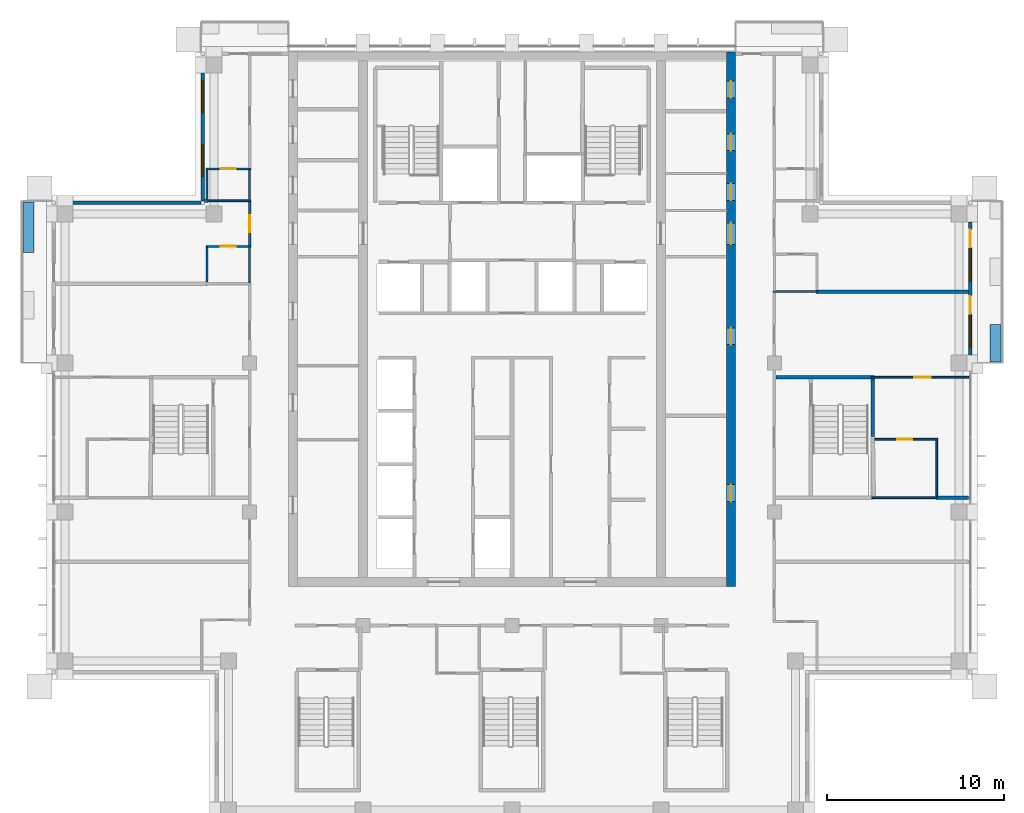
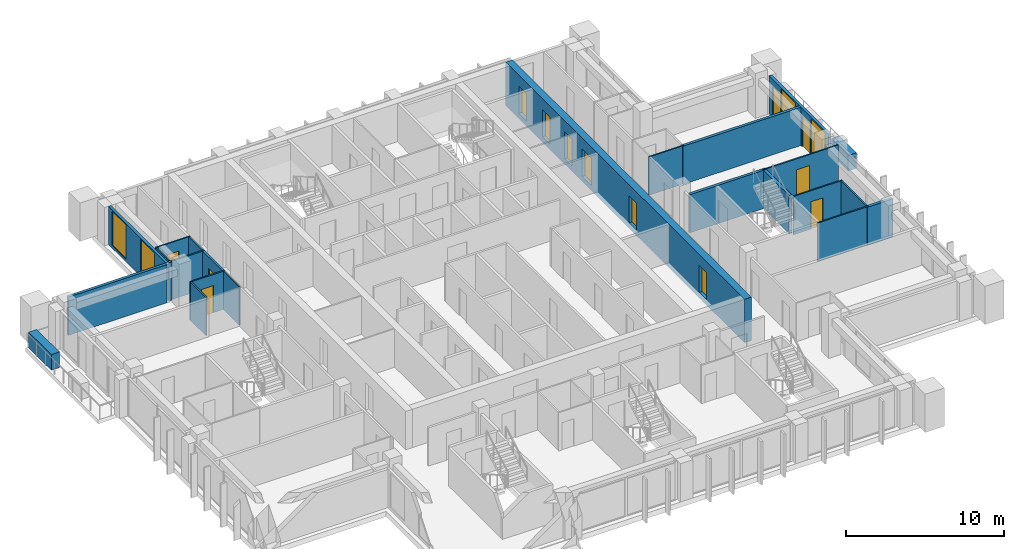
# One storey, part 11 of 18: 24 walls, 13 doors, 4 windows, 17 openings.
"""IFC4 building model written with IfcOpenShell, lengths in metres."""

from ifc_helpers import new_model, si_unit, direction, frame, frame_2d, origin, place, context, subcontext, project, spatial, rectangle, extrude, material, layer, layer_set, type_object, element, fill, save


model = new_model("IFC4")

# Units and contexts
model_context = context("Model", 3, precision=1e-05, world=origin(), true_north=direction((0.0, 1.0)))
body_context = subcontext(model_context, "Body", "Model", "MODEL_VIEW")
ifc_project = project(units=[si_unit("LENGTHUNIT", "METRE"), si_unit("AREAUNIT", "SQUARE_METRE"), si_unit("VOLUMEUNIT", "CUBIC_METRE"), si_unit("PLANEANGLEUNIT", "RADIAN"), si_unit("MASSUNIT", "GRAM", prefix="KILO")], contexts=[model_context])

# Site, building, storey
site_placement = place(None, origin())
site = spatial("IfcSite", under=ifc_project, at=site_placement, CompositionType="ELEMENT")
building_placement = place(site_placement, origin())
building = spatial("IfcBuilding", under=site, at=building_placement, Name="Vermilion Ogive Tower", CompositionType="ELEMENT")
storey_placement = place(building_placement, frame((0.0, 0.0, 261.39990234375)))
storey = spatial("IfcBuildingStorey", under=building, at=storey_placement, Name="L69", CompositionType="ELEMENT", Elevation=261.39990234375)

# Wall, openings, doors
ifc_material_1 = material(Name="Concrete B60", Category="concrete")
ifc_layer_1 = layer(ifc_material_1, 0.5)
ifc_layer_set_1 = layer_set([ifc_layer_1], Name="Core wall 500 B60")
wall_type_1 = type_object("IfcWallType", Name="Core wall 500 B60", PredefinedType="SHEAR", material=ifc_layer_set_1)
wall_1_placement = place(storey_placement, frame((12.35009765625, -8.39990234375, -0.39990234375), z_axis=(0.0, 0.0, 1.0), x_axis=(0.0, 1.0, 0.0)))
wall_1 = element("IfcWall", 1, at=wall_1_placement, inside=storey, type_object=wall_type_1, Name="L69-CORE-E", PredefinedType="SHEAR", context=body_context, shape_type="SweptSolid", body=[
    extrude(rectangle(XDim=30.14990234375, YDim=0.5, at=frame_2d((15.074951171875, 0.0))), origin(), (0.0, 0.0, 1.0), 3.35009765625),
])
opening_1_placement = place(wall_1_placement, frame((4.78759765625, 0.0, 0.39990234375)))
opening_1 = element("IfcOpeningElement", 2, at=opening_1_placement, cuts=wall_1, Name="Opening DAC128", PredefinedType="OPENING", context=body_context, shape_type="SweptSolid", body=[
    extrude(rectangle(XDim=0.949951171875, YDim=2.10009765625, at=frame_2d((0.47509765625, 1.050048828125))), frame((0.0, 0.260009765625, 0.0), z_axis=(0.0, -1.0, 0.0), x_axis=(1.0, 0.0, 0.0)), (0.0, 0.0, 1.0), 0.52001953125),
])
opening_2_placement = place(wall_1_placement, frame((13.6376953125, 0.0, 0.39990234375)))
opening_2 = element("IfcOpeningElement", 3, at=opening_2_placement, cuts=wall_1, Name="Opening DAC129", PredefinedType="OPENING", context=body_context, shape_type="SweptSolid", body=[
    extrude(rectangle(XDim=0.949951171875, YDim=2.10009765625, at=frame_2d((0.47509765625, 1.050048828125))), frame((0.0, 0.260009765625, 0.0), z_axis=(0.0, -1.0, 0.0), x_axis=(1.0, 0.0, 0.0)), (0.0, 0.0, 1.0), 0.52001953125),
])
opening_3_placement = place(wall_1_placement, frame((21.7705078125, 0.0, 0.39990234375)))
opening_3 = element("IfcOpeningElement", 4, at=opening_3_placement, cuts=wall_1, Name="Opening DAC130", PredefinedType="OPENING", context=body_context, shape_type="SweptSolid", body=[
    extrude(rectangle(XDim=0.949951171875, YDim=2.10009765625, at=frame_2d((0.47509765625, 1.050048828125))), frame((0.0, 0.260009765625, 0.0), z_axis=(0.0, -1.0, 0.0), x_axis=(1.0, 0.0, 0.0)), (0.0, 0.0, 1.0), 0.52001953125),
])
opening_4_placement = place(wall_1_placement, frame((24.57568359375, 0.0, 0.39990234375)))
opening_4 = element("IfcOpeningElement", 5, at=opening_4_placement, cuts=wall_1, Name="Opening DAC131", PredefinedType="OPENING", context=body_context, shape_type="SweptSolid", body=[
    extrude(rectangle(XDim=0.949951171875, YDim=2.10009765625, at=frame_2d((0.47509765625, 1.050048828125))), frame((0.0, 0.260009765625, 0.0), z_axis=(0.0, -1.0, 0.0), x_axis=(1.0, 0.0, 0.0)), (0.0, 0.0, 1.0), 0.52001953125),
])
opening_5_placement = place(wall_1_placement, frame((27.555419921875, 0.0, 0.39990234375)))
opening_5 = element("IfcOpeningElement", 6, at=opening_5_placement, cuts=wall_1, Name="Opening DAC132", PredefinedType="OPENING", context=body_context, shape_type="SweptSolid", body=[
    extrude(rectangle(XDim=0.949951171875, YDim=2.10009765625, at=frame_2d((0.47509765625, 1.050048828125))), frame((0.0, 0.260009765625, 0.0), z_axis=(0.0, -1.0, 0.0), x_axis=(1.0, 0.0, 0.0)), (0.0, 0.0, 1.0), 0.52001953125),
])
opening_6_placement = place(wall_1_placement, frame((19.300048828125, 0.0, 0.39990234375)))
opening_6 = element("IfcOpeningElement", 7, at=opening_6_placement, cuts=wall_1, Name="Opening DAL029", PredefinedType="OPENING", context=body_context, shape_type="SweptSolid", body=[
    extrude(rectangle(XDim=1.199951171875, YDim=2.10009765625, at=frame_2d((0.60009765625, 1.050048828125))), frame((0.0, 0.260009765625, 0.0), z_axis=(0.0, -1.0, 0.0), x_axis=(1.0, 0.0, 0.0)), (0.0, 0.0, 1.0), 0.52001953125),
])
ifc_material_2 = material(Name="Timber door leaf", Category="wood")
door_type_1 = type_object("IfcDoorType", Name="Link door 1200 x 2100 FD60S", OperationType="SINGLE_SWING_LEFT", PredefinedType="DOOR", material=ifc_material_2)
door_1_placement = place(opening_6_placement, origin())
door_1 = element("IfcDoor", 8, at=door_1_placement, inside=storey, type_object=door_type_1, Name="L69-CKE-XL", OperationType="SINGLE_SWING_LEFT", OverallHeight=2.10009765625, OverallWidth=1.199951171875, PredefinedType="DOOR", context=body_context, shape_type="SweptSolid", body=[
    extrude(rectangle(XDim=1.199951171875, YDim=2.10009765625, at=frame_2d((0.60009765625, 1.050048828125))), frame((0.0, 0.02490234375, 0.0), z_axis=(0.0, -1.0, 0.0), x_axis=(1.0, 0.0, 0.0)), (0.0, 0.0, 1.0), 0.050048828125),
])
fill(opening_6, door_1)
ifc_material_3 = material(Name="Timber door leaf", Category="wood")
door_type_2 = type_object("IfcDoorType", Name="Service door 950 x 2100 FD60", OperationType="SINGLE_SWING_LEFT", PredefinedType="DOOR", material=ifc_material_3)
door_2_placement = place(opening_1_placement, origin())
door_2 = element("IfcDoor", 9, at=door_2_placement, inside=storey, type_object=door_type_2, Name="L69-CKE-XR0", OperationType="SINGLE_SWING_LEFT", OverallHeight=2.10009765625, OverallWidth=0.949951171875, PredefinedType="DOOR", context=body_context, shape_type="SweptSolid", body=[
    extrude(rectangle(XDim=0.949951171875, YDim=2.10009765625, at=frame_2d((0.47509765625, 1.050048828125))), frame((0.0, 0.02490234375, 0.0), z_axis=(0.0, -1.0, 0.0), x_axis=(1.0, 0.0, 0.0)), (0.0, 0.0, 1.0), 0.050048828125),
])
fill(opening_1, door_2)
door_3_placement = place(opening_2_placement, origin())
door_3 = element("IfcDoor", 10, at=door_3_placement, inside=storey, type_object=door_type_2, Name="L69-CKE-XR1", OperationType="SINGLE_SWING_LEFT", OverallHeight=2.10009765625, OverallWidth=0.949951171875, PredefinedType="DOOR", context=body_context, shape_type="SweptSolid", body=[
    extrude(rectangle(XDim=0.949951171875, YDim=2.10009765625, at=frame_2d((0.47509765625, 1.050048828125))), frame((0.0, 0.02490234375, 0.0), z_axis=(0.0, -1.0, 0.0), x_axis=(1.0, 0.0, 0.0)), (0.0, 0.0, 1.0), 0.050048828125),
])
fill(opening_2, door_3)
door_4_placement = place(opening_3_placement, origin())
door_4 = element("IfcDoor", 11, at=door_4_placement, inside=storey, type_object=door_type_2, Name="L69-CKE-XR2", OperationType="SINGLE_SWING_LEFT", OverallHeight=2.10009765625, OverallWidth=0.949951171875, PredefinedType="DOOR", context=body_context, shape_type="SweptSolid", body=[
    extrude(rectangle(XDim=0.949951171875, YDim=2.10009765625, at=frame_2d((0.47509765625, 1.050048828125))), frame((0.0, 0.02490234375, 0.0), z_axis=(0.0, -1.0, 0.0), x_axis=(1.0, 0.0, 0.0)), (0.0, 0.0, 1.0), 0.050048828125),
])
fill(opening_3, door_4)
door_5_placement = place(opening_4_placement, origin())
door_5 = element("IfcDoor", 12, at=door_5_placement, inside=storey, type_object=door_type_2, Name="L69-CKE-XR3", OperationType="SINGLE_SWING_LEFT", OverallHeight=2.10009765625, OverallWidth=0.949951171875, PredefinedType="DOOR", context=body_context, shape_type="SweptSolid", body=[
    extrude(rectangle(XDim=0.949951171875, YDim=2.10009765625, at=frame_2d((0.47509765625, 1.050048828125))), frame((0.0, 0.02490234375, 0.0), z_axis=(0.0, -1.0, 0.0), x_axis=(1.0, 0.0, 0.0)), (0.0, 0.0, 1.0), 0.050048828125),
])
fill(opening_4, door_5)
door_6_placement = place(opening_5_placement, origin())
door_6 = element("IfcDoor", 13, at=door_6_placement, inside=storey, type_object=door_type_2, Name="L69-CKE-XR4", OperationType="SINGLE_SWING_LEFT", OverallHeight=2.10009765625, OverallWidth=0.949951171875, PredefinedType="DOOR", context=body_context, shape_type="SweptSolid", body=[
    extrude(rectangle(XDim=0.949951171875, YDim=2.10009765625, at=frame_2d((0.47509765625, 1.050048828125))), frame((0.0, 0.02490234375, 0.0), z_axis=(0.0, -1.0, 0.0), x_axis=(1.0, 0.0, 0.0)), (0.0, 0.0, 1.0), 0.050048828125),
])
fill(opening_5, door_6)

# Wall
ifc_material_4 = material(Name="Gypsum board partition on steel studs", Category="steel")
ifc_layer_2 = layer(ifc_material_4, 0.10009765625)
ifc_layer_set_2 = layer_set([ifc_layer_2], Name="Partition 100 bath")
wall_type_2 = type_object("IfcWallType", Name="Partition 100 bath", PredefinedType="PARTITIONING", material=ifc_layer_set_2)
wall_2_placement = place(storey_placement, frame((20.300048828125, -3.39990234375, 0.0), z_axis=(0.0, 0.0, 1.0), x_axis=(1.0, 0.0, 0.0)))
element("IfcWall", 14, at=wall_2_placement, inside=storey, type_object=wall_type_2, Name="L69-W-W019", PredefinedType="PARTITIONING", context=body_context, shape_type="SweptSolid", body=[
    extrude(rectangle(XDim=3.699951171875, YDim=0.10009765625, at=frame_2d((1.85009765625, 0.0))), origin(), (0.0, 0.0, 1.0), 2.9501953125),
])

# Wall, opening, door
wall_3_placement = place(storey_placement, frame((20.449951171875, -0.10009765625, 0.0), z_axis=(0.0, 0.0, 1.0), x_axis=(1.0, 0.0, 0.0)))
wall_3 = element("IfcWall", 15, at=wall_3_placement, inside=storey, type_object=wall_type_2, Name="L69-W-W022", PredefinedType="PARTITIONING", context=body_context, shape_type="SweptSolid", body=[
    extrude(rectangle(XDim=3.550048828125, YDim=0.10009765625, at=frame_2d((1.77490234375, 0.0))), origin(), (0.0, 0.0, 1.0), 2.9501953125),
])
opening_7_placement = place(wall_3_placement, frame((1.275146484375, 0.0, 0.0)))
opening_7 = element("IfcOpeningElement", 16, at=opening_7_placement, cuts=wall_3, Name="Opening D5G6018", PredefinedType="OPENING", context=body_context, shape_type="SweptSolid", body=[
    extrude(rectangle(XDim=0.85009765625, YDim=2.10009765625, at=frame_2d((0.425048828125, 1.050048828125))), frame((0.0, 0.06005859375, 0.0), z_axis=(0.0, -1.0, 0.0), x_axis=(1.0, 0.0, 0.0)), (0.0, 0.0, 1.0), 0.1201171875),
])
ifc_material_5 = material(Name="Timber door leaf", Category="wood")
door_type_3 = type_object("IfcDoorType", Name="Bath door 850 x 2100 FD30", OperationType="SINGLE_SWING_LEFT", PredefinedType="DOOR", material=ifc_material_5)
door_7_placement = place(opening_7_placement, origin())
door_7 = element("IfcDoor", 17, at=door_7_placement, inside=storey, type_object=door_type_3, Name="L69-D-D018", OperationType="SINGLE_SWING_LEFT", OverallHeight=2.10009765625, OverallWidth=0.85009765625, PredefinedType="DOOR", context=body_context, shape_type="SweptSolid", body=[
    extrude(rectangle(XDim=0.85009765625, YDim=2.10009765625, at=frame_2d((0.425048828125, 1.050048828125))), frame((0.0, 0.02490234375, 0.0), z_axis=(0.0, -1.0, 0.0), x_axis=(1.0, 0.0, 0.0)), (0.0, 0.0, 1.0), 0.050048828125),
])
fill(opening_7, door_7)

# Wall
wall_4_placement = place(storey_placement, frame((14.72509765625, 8.22998046875, 0.0), z_axis=(0.0, 0.0, 1.0), x_axis=(1.0, 0.0, 0.0)))
element("IfcWall", 18, at=wall_4_placement, inside=storey, type_object=wall_type_2, Name="L69-W-W027", PredefinedType="PARTITIONING", context=body_context, shape_type="SweptSolid", body=[
    extrude(rectangle(XDim=2.52490234375, YDim=0.10009765625, at=frame_2d((1.262451171875, 0.0))), origin(), (0.0, 0.0, 1.0), 2.9501953125),
])

# Wall, opening, door
wall_5_placement = place(storey_placement, frame((-17.25, 10.780029296875, 0.0), z_axis=(0.0, 0.0, 1.0), x_axis=(1.0, 0.0, 0.0)))
wall_5 = element("IfcWall", 19, at=wall_5_placement, inside=storey, type_object=wall_type_2, Name="L69-W-W032", PredefinedType="PARTITIONING", context=body_context, shape_type="SweptSolid", body=[
    extrude(rectangle(XDim=2.52490234375, YDim=0.10009765625, at=frame_2d((1.262451171875, 0.0))), origin(), (0.0, 0.0, 1.0), 2.9501953125),
])
opening_8_placement = place(wall_5_placement, frame((0.824951171875, 0.0, 0.0)))
opening_8 = element("IfcOpeningElement", 20, at=opening_8_placement, cuts=wall_5, Name="Opening D5G6007", PredefinedType="OPENING", context=body_context, shape_type="SweptSolid", body=[
    extrude(rectangle(XDim=0.85009765625, YDim=2.10009765625, at=frame_2d((0.425048828125, 1.050048828125))), frame((0.0, 0.06005859375, 0.0), z_axis=(0.0, -1.0, 0.0), x_axis=(1.0, 0.0, 0.0)), (0.0, 0.0, 1.0), 0.1201171875),
])
door_8_placement = place(opening_8_placement, origin())
door_8 = element("IfcDoor", 21, at=door_8_placement, inside=storey, type_object=door_type_3, Name="L69-D-D007", OperationType="SINGLE_SWING_RIGHT", OverallHeight=2.10009765625, OverallWidth=0.85009765625, PredefinedType="DOOR", context=body_context, shape_type="SweptSolid", body=[
    extrude(rectangle(XDim=0.85009765625, YDim=2.10009765625, at=frame_2d((0.425048828125, 1.050048828125))), frame((0.0, 0.02490234375, 0.0), z_axis=(0.0, -1.0, 0.0), x_axis=(1.0, 0.0, 0.0)), (0.0, 0.0, 1.0), 0.050048828125),
])
fill(opening_8, door_8)

# Wall
wall_6_placement = place(storey_placement, frame((-17.25, 13.35009765625, 0.0), z_axis=(0.0, 0.0, 1.0), x_axis=(1.0, 0.0, 0.0)))
element("IfcWall", 22, at=wall_6_placement, inside=storey, type_object=wall_type_2, Name="L69-W-W034", PredefinedType="PARTITIONING", context=body_context, shape_type="SweptSolid", body=[
    extrude(rectangle(XDim=2.52490234375, YDim=0.10009765625, at=frame_2d((1.262451171875, 0.0))), origin(), (0.0, 0.0, 1.0), 2.9501953125),
])

# Wall, opening, door
wall_7_placement = place(storey_placement, frame((-17.25, 15.14990234375, 0.0), z_axis=(0.0, 0.0, 1.0), x_axis=(1.0, 0.0, 0.0)))
wall_7 = element("IfcWall", 23, at=wall_7_placement, inside=storey, type_object=wall_type_2, Name="L69-W-W037", PredefinedType="PARTITIONING", context=body_context, shape_type="SweptSolid", body=[
    extrude(rectangle(XDim=2.52490234375, YDim=0.10009765625, at=frame_2d((1.262451171875, 0.0))), origin(), (0.0, 0.0, 1.0), 2.9501953125),
])
opening_9_placement = place(wall_7_placement, frame((0.824951171875, 0.0, 0.0)))
opening_9 = element("IfcOpeningElement", 24, at=opening_9_placement, cuts=wall_7, Name="Opening D5G6009", PredefinedType="OPENING", context=body_context, shape_type="SweptSolid", body=[
    extrude(rectangle(XDim=0.85009765625, YDim=2.10009765625, at=frame_2d((0.425048828125, 1.050048828125))), frame((0.0, 0.06005859375, 0.0), z_axis=(0.0, -1.0, 0.0), x_axis=(1.0, 0.0, 0.0)), (0.0, 0.0, 1.0), 0.1201171875),
])
door_9_placement = place(opening_9_placement, origin())
door_9 = element("IfcDoor", 25, at=door_9_placement, inside=storey, type_object=door_type_3, Name="L69-D-D009", OperationType="SINGLE_SWING_RIGHT", OverallHeight=2.10009765625, OverallWidth=0.85009765625, PredefinedType="DOOR", context=body_context, shape_type="SweptSolid", body=[
    extrude(rectangle(XDim=0.85009765625, YDim=2.10009765625, at=frame_2d((0.425048828125, 1.050048828125))), frame((0.0, 0.02490234375, 0.0), z_axis=(0.0, -1.0, 0.0), x_axis=(1.0, 0.0, 0.0)), (0.0, 0.0, 1.0), 0.050048828125),
])
fill(opening_9, door_9)

# Walls
wall_8_placement = place(storey_placement, frame((-17.199951171875, 8.780029296875, 0.0), z_axis=(0.0, 0.0, 1.0), x_axis=(0.0, 1.0, 0.0)))
element("IfcWall", 26, at=wall_8_placement, inside=storey, type_object=wall_type_2, Name="L69-W-W043", PredefinedType="PARTITIONING", context=body_context, shape_type="SweptSolid", body=[
    extrude(rectangle(XDim=1.949951171875, YDim=0.10009765625, at=frame_2d((0.97509765625, 0.0))), origin(), (0.0, 0.0, 1.0), 2.9501953125),
])
wall_9_placement = place(storey_placement, frame((-17.199951171875, 13.449951171875, 0.0), z_axis=(0.0, 0.0, 1.0), x_axis=(0.0, 1.0, 0.0)))
element("IfcWall", 27, at=wall_9_placement, inside=storey, type_object=wall_type_2, Name="L69-W-W044", PredefinedType="PARTITIONING", context=body_context, shape_type="SweptSolid", body=[
    extrude(rectangle(XDim=1.650146484375, YDim=0.10009765625, at=frame_2d((0.8251953125, 0.0))), origin(), (0.0, 0.0, 1.0), 2.9501953125),
])
wall_10_placement = place(storey_placement, frame((-14.800048828125, 8.72998046875, 0.0), z_axis=(0.0, 0.0, 1.0), x_axis=(0.0, 1.0, 0.0)))
element("IfcWall", 28, at=wall_10_placement, inside=storey, type_object=wall_type_2, Name="L69-W-W048", PredefinedType="PARTITIONING", context=body_context, shape_type="SweptSolid", body=[
    extrude(rectangle(XDim=2.0, YDim=0.10009765625, at=frame_2d((1.0, 0.0))), origin(), (0.0, 0.0, 1.0), 2.9501953125),
])
wall_11_placement = place(storey_placement, frame((-14.800048828125, 13.39990234375, 0.0), z_axis=(0.0, 0.0, 1.0), x_axis=(0.0, 1.0, 0.0)))
element("IfcWall", 29, at=wall_11_placement, inside=storey, type_object=wall_type_2, Name="L69-W-W050", PredefinedType="PARTITIONING", context=body_context, shape_type="SweptSolid", body=[
    extrude(rectangle(XDim=1.7001953125, YDim=0.10009765625, at=frame_2d((0.85009765625, 0.0))), origin(), (0.0, 0.0, 1.0), 2.9501953125),
])
wall_12_placement = place(storey_placement, frame((23.949951171875, -3.300048828125, 0.0), z_axis=(0.0, 0.0, 1.0), x_axis=(0.0, 1.0, 0.0)))
element("IfcWall", 30, at=wall_12_placement, inside=storey, type_object=wall_type_2, Name="L69-W-W069", PredefinedType="PARTITIONING", context=body_context, shape_type="SweptSolid", body=[
    extrude(rectangle(XDim=3.150146484375, YDim=0.10009765625, at=frame_2d((1.5751953125, 0.0))), origin(), (0.0, 0.0, 1.0), 2.9501953125),
])

# Wall, opening, door
ifc_material_6 = material(Name="Gypsum board partition on steel studs", Category="steel")
ifc_layer_3 = layer(ifc_material_6, 0.10009765625)
ifc_layer_set_3 = layer_set([ifc_layer_3], Name="Partition 100 inner")
wall_type_3 = type_object("IfcWallType", Name="Partition 100 inner", PredefinedType="PARTITIONING", material=ifc_layer_set_3)
wall_13_placement = place(storey_placement, frame((20.25, 3.39990234375, 0.0), z_axis=(0.0, 0.0, 1.0), x_axis=(1.0, 0.0, 0.0)))
wall_13 = element("IfcWall", 31, at=wall_13_placement, inside=storey, type_object=wall_type_3, Name="L69-W-W026", PredefinedType="PARTITIONING", context=body_context, shape_type="SweptSolid", body=[
    extrude(rectangle(XDim=5.5, YDim=0.10009765625, at=frame_2d((2.75, 0.0))), origin(), (0.0, 0.0, 1.0), 2.9501953125),
])
opening_10_placement = place(wall_13_placement, frame((2.425048828125, 0.0, 0.0)))
opening_10 = element("IfcOpeningElement", 32, at=opening_10_placement, cuts=wall_13, Name="Opening D5G6017", PredefinedType="OPENING", context=body_context, shape_type="SweptSolid", body=[
    extrude(rectangle(XDim=0.949951171875, YDim=2.10009765625, at=frame_2d((0.47509765625, 1.050048828125))), frame((0.0, 0.06005859375, 0.0), z_axis=(0.0, -1.0, 0.0), x_axis=(1.0, 0.0, 0.0)), (0.0, 0.0, 1.0), 0.1201171875),
])
ifc_material_7 = material(Name="Timber door leaf", Category="wood")
door_type_4 = type_object("IfcDoorType", Name="Inner door 950 x 2100 FD30", OperationType="SINGLE_SWING_LEFT", PredefinedType="DOOR", material=ifc_material_7)
door_10_placement = place(opening_10_placement, origin())
door_10 = element("IfcDoor", 33, at=door_10_placement, inside=storey, type_object=door_type_4, Name="L69-D-D017", OperationType="SINGLE_SWING_LEFT", OverallHeight=2.10009765625, OverallWidth=0.949951171875, PredefinedType="DOOR", context=body_context, shape_type="SweptSolid", body=[
    extrude(rectangle(XDim=0.949951171875, YDim=2.10009765625, at=frame_2d((0.47509765625, 1.050048828125))), frame((0.0, 0.02490234375, 0.0), z_axis=(0.0, -1.0, 0.0), x_axis=(1.0, 0.0, 0.0)), (0.0, 0.0, 1.0), 0.050048828125),
])
fill(opening_10, door_10)

ifc_material_8 = material(Name="Gypsum board partition on steel studs", Category="steel")
ifc_layer_4 = layer(ifc_material_8, 0.14990234375)
ifc_layer_set_4 = layer_set([ifc_layer_4], Name="Partition 150 corridor")
wall_type_4 = type_object("IfcWallType", Name="Partition 150 corridor", PredefinedType="PARTITIONING", material=ifc_layer_set_4)
wall_14_placement = place(storey_placement, frame((-14.800048828125, 10.830078125, 0.0), z_axis=(0.0, 0.0, 1.0), x_axis=(0.0, 1.0, 0.0)))
wall_14 = element("IfcWall", 34, at=wall_14_placement, inside=storey, type_object=wall_type_4, Name="L69-W-W049", PredefinedType="PARTITIONING", context=body_context, shape_type="SweptSolid", body=[
    extrude(rectangle(XDim=2.469970703125, YDim=0.14990234375, at=frame_2d((1.23486328125, 0.0))), origin(), (0.0, 0.0, 1.0), 2.9501953125),
])
opening_11_placement = place(wall_14_placement, frame((0.760009765625, 0.0, 0.0)))
opening_11 = element("IfcOpeningElement", 35, at=opening_11_placement, cuts=wall_14, Name="Opening D5G6006", PredefinedType="OPENING", context=body_context, shape_type="SweptSolid", body=[
    extrude(rectangle(XDim=0.949951171875, YDim=2.10009765625, at=frame_2d((0.47509765625, 1.050048828125))), frame((0.0, 0.0849609375, 0.0), z_axis=(0.0, -1.0, 0.0), x_axis=(1.0, 0.0, 0.0)), (0.0, 0.0, 1.0), 0.169921875),
])
ifc_material_9 = material(Name="Timber door leaf", Category="wood")
door_type_5 = type_object("IfcDoorType", Name="Unit door 950 x 2100 FD30S", OperationType="SINGLE_SWING_LEFT", PredefinedType="DOOR", material=ifc_material_9)
door_11_placement = place(opening_11_placement, origin())
door_11 = element("IfcDoor", 36, at=door_11_placement, inside=storey, type_object=door_type_5, Name="L69-D-D006", OperationType="SINGLE_SWING_LEFT", OverallHeight=2.10009765625, OverallWidth=0.949951171875, PredefinedType="DOOR", context=body_context, shape_type="SweptSolid", body=[
    extrude(rectangle(XDim=0.949951171875, YDim=2.10009765625, at=frame_2d((0.47509765625, 1.050048828125))), frame((0.0, 0.02490234375, 0.0), z_axis=(0.0, -1.0, 0.0), x_axis=(1.0, 0.0, 0.0)), (0.0, 0.0, 1.0), 0.050048828125),
])
fill(opening_11, door_11)

# Walls
ifc_material_10 = material(Name="Gypsum board partition on steel studs", Category="steel")
ifc_layer_5 = layer(ifc_material_10, 0.199951171875)
ifc_layer_set_5 = layer_set([ifc_layer_5], Name="Partition 200 party")
wall_type_5 = type_object("IfcWallType", Name="Partition 200 party", PredefinedType="PARTITIONING", material=ifc_layer_set_5)
wall_15_placement = place(storey_placement, frame((23.89990234375, -3.39990234375, 0.0), z_axis=(0.0, 0.0, 1.0), x_axis=(1.0, 0.0, 0.0)))
element("IfcWall", 37, at=wall_15_placement, inside=storey, type_object=wall_type_5, Name="L69-W-W020", PredefinedType="PARTITIONING", context=body_context, shape_type="SweptSolid", body=[
    extrude(rectangle(XDim=1.85009765625, YDim=0.199951171875, at=frame_2d((0.925048828125, 0.0))), origin(), (0.0, 0.0, 1.0), 2.9501953125),
])
wall_16_placement = place(storey_placement, frame((17.14990234375, 8.22998046875, 0.0), z_axis=(0.0, 0.0, 1.0), x_axis=(1.0, 0.0, 0.0)))
element("IfcWall", 38, at=wall_16_placement, inside=storey, type_object=wall_type_5, Name="L69-W-W028", PredefinedType="PARTITIONING", context=body_context, shape_type="SweptSolid", body=[
    extrude(rectangle(XDim=8.60009765625, YDim=0.199951171875, at=frame_2d((4.300048828125, 0.0))), origin(), (0.0, 0.0, 1.0), 2.9501953125),
])
wall_17_placement = place(storey_placement, frame((-17.35009765625, 13.35009765625, 0.0), z_axis=(0.0, 0.0, 1.0), x_axis=(1.0, 0.0, 0.0)))
element("IfcWall", 39, at=wall_17_placement, inside=storey, type_object=wall_type_5, Name="L69-W-W033", PredefinedType="PARTITIONING", context=body_context, shape_type="SweptSolid", body=[
    extrude(rectangle(XDim=0.2001953125, YDim=0.199951171875, at=frame_2d((0.10009765625, 0.0))), origin(), (0.0, 0.0, 1.0), 2.9501953125),
])
ifc_material_11 = material(Name="Concrete B60", Category="concrete")
ifc_layer_6 = layer(ifc_material_11, 0.199951171875)
ifc_layer_set_6 = layer_set([ifc_layer_6], Name="Stair shaft wall 200 Concrete B60")
wall_type_6 = type_object("IfcWallType", Name="Stair shaft wall 200 Concrete B60", PredefinedType="SOLIDWALL", material=ifc_layer_set_6)
wall_18_placement = place(storey_placement, frame((14.875, 3.39990234375, 0.0), z_axis=(0.0, 0.0, 1.0), x_axis=(1.0, 0.0, 0.0)))
element("IfcWall", 40, at=wall_18_placement, inside=storey, type_object=wall_type_6, Name="L69-W-W025", PredefinedType="SOLIDWALL", context=body_context, shape_type="SweptSolid", body=[
    extrude(rectangle(XDim=5.574951171875, YDim=0.199951171875, at=frame_2d((2.78759765625, 0.0))), origin(), (0.0, 0.0, 1.0), 2.9501953125),
])
wall_19_placement = place(storey_placement, frame((20.35009765625, 0.070068359375, 0.0), z_axis=(0.0, 0.0, 1.0), x_axis=(0.0, 1.0, 0.0)))
element("IfcWall", 41, at=wall_19_placement, inside=storey, type_object=wall_type_6, Name="L69-W-W068", PredefinedType="SOLIDWALL", context=body_context, shape_type="SweptSolid", body=[
    extrude(rectangle(XDim=3.22998046875, YDim=0.199951171875, at=frame_2d((1.614990234375, 0.0))), origin(), (0.0, 0.0, 1.0), 2.9501953125),
])
ifc_material_12 = material(Name="Concrete B40", Category="concrete")
ifc_layer_7 = layer(ifc_material_12, 0.60009765625)
ifc_layer_set_7 = layer_set([ifc_layer_7], Name="Structural planter")
wall_type_7 = type_object("IfcWallType", Name="Structural planter", PredefinedType="USERDEFINED", material=ifc_layer_set_7)
wall_20_placement = place(storey_placement, frame((27.26806640625, 4.260009765625, -0.039794921875), z_axis=(0.0, 0.0, 1.0), x_axis=(0.0, 1.0, 0.0)))
element("IfcWall", 42, at=wall_20_placement, inside=storey, type_object=wall_type_7, Name="Planter E03A1", ObjectType="PLANTER", PredefinedType="USERDEFINED", context=body_context, shape_type="SweptSolid", body=[
    extrude(rectangle(XDim=2.114990234375, YDim=0.60009765625, at=frame_2d((1.0576171875, 0.0))), origin(), (0.0, 0.0, 1.0), 1.199951171875),
])
wall_21_placement = place(storey_placement, frame((-27.26806640625, 13.2900390625, -0.039794921875), z_axis=(0.0, 0.0, 1.0), x_axis=(0.0, -1.0, 0.0)))
element("IfcWall", 43, at=wall_21_placement, inside=storey, type_object=wall_type_7, Name="Planter W01A1", ObjectType="PLANTER", PredefinedType="USERDEFINED", context=body_context, shape_type="SweptSolid", body=[
    extrude(rectangle(XDim=2.864990234375, YDim=0.60009765625, at=frame_2d((1.4326171875, 0.0))), origin(), (0.0, 0.0, 1.0), 1.199951171875),
])

# Wall, openings, doors, windows
ifc_material_13 = material(Name="Aluminium window wall framing", Category="aluminium")
ifc_layer_8 = layer(ifc_material_13, 0.199951171875)
ifc_layer_set_8 = layer_set([ifc_layer_8], Name="Window wall")
wall_type_8 = type_object("IfcWallType", Name="Window wall", PredefinedType="STANDARD", material=ifc_layer_set_8)
wall_22_placement = place(storey_placement, frame((25.85009765625, 4.64990234375, 0.0), z_axis=(0.0, 0.0, 1.0), x_axis=(0.0, 1.0, 0.0)))
wall_22 = element("IfcWall", 44, at=wall_22_placement, inside=storey, type_object=wall_type_8, Name="Window wall E3", PredefinedType="STANDARD", context=body_context, shape_type="SweptSolid", body=[
    extrude(rectangle(XDim=7.5, YDim=0.199951171875, at=frame_2d((3.75, 0.0))), origin(), (0.0, 0.0, 1.0), 2.9501953125),
])
opening_12_placement = place(wall_22_placement, frame((0.425048828125, 0.0, 0.199951171875)))
opening_12 = element("IfcOpeningElement", 45, at=opening_12_placement, cuts=wall_22, Name="Opening W1-E01", PredefinedType="OPENING", context=body_context, shape_type="SweptSolid", body=[
    extrude(rectangle(XDim=1.800048828125, YDim=2.64990234375, at=frame_2d((0.89990234375, 1.324951171875))), frame((0.0, 0.10986328125, 0.0), z_axis=(0.0, -1.0, 0.0), x_axis=(1.0, 0.0, 0.0)), (0.0, 0.0, 1.0), 0.219970703125),
])
opening_13_placement = place(wall_22_placement, frame((2.324951171875, 0.0, 0.0)))
opening_13 = element("IfcOpeningElement", 46, at=opening_13_placement, cuts=wall_22, Name="Opening D1-E01", PredefinedType="OPENING", context=body_context, shape_type="SweptSolid", body=[
    extrude(rectangle(XDim=1.0, YDim=2.39990234375, at=frame_2d((0.5, 1.199951171875))), frame((0.0, 0.10986328125, 0.0), z_axis=(0.0, -1.0, 0.0), x_axis=(1.0, 0.0, 0.0)), (0.0, 0.0, 1.0), 0.219970703125),
])
opening_14_placement = place(wall_22_placement, frame((4.175048828125, 0.0, 0.199951171875)))
opening_14 = element("IfcOpeningElement", 47, at=opening_14_placement, cuts=wall_22, Name="Opening W1-E02", PredefinedType="OPENING", context=body_context, shape_type="SweptSolid", body=[
    extrude(rectangle(XDim=1.800048828125, YDim=2.64990234375, at=frame_2d((0.89990234375, 1.324951171875))), frame((0.0, 0.10986328125, 0.0), z_axis=(0.0, -1.0, 0.0), x_axis=(1.0, 0.0, 0.0)), (0.0, 0.0, 1.0), 0.219970703125),
])
opening_15_placement = place(wall_22_placement, frame((6.074951171875, 0.0, 0.0)))
opening_15 = element("IfcOpeningElement", 48, at=opening_15_placement, cuts=wall_22, Name="Opening D1-E02", PredefinedType="OPENING", context=body_context, shape_type="SweptSolid", body=[
    extrude(rectangle(XDim=1.0, YDim=2.39990234375, at=frame_2d((0.5, 1.199951171875))), frame((0.0, 0.10986328125, 0.0), z_axis=(0.0, -1.0, 0.0), x_axis=(1.0, 0.0, 0.0)), (0.0, 0.0, 1.0), 0.219970703125),
])
ifc_material_14 = material(Name="Aluminium framed glazed door", Category="aluminium")
door_type_6 = type_object("IfcDoorType", Name="Balcony door D1", OperationType="SINGLE_SWING_LEFT", PredefinedType="DOOR", material=ifc_material_14)
door_12_placement = place(opening_13_placement, origin())
door_12 = element("IfcDoor", 49, at=door_12_placement, inside=storey, type_object=door_type_6, Name="Balcony door E01", OperationType="SINGLE_SWING_LEFT", OverallHeight=2.39990234375, OverallWidth=1.0, PredefinedType="DOOR", context=body_context, shape_type="SweptSolid", body=[
    extrude(rectangle(XDim=1.0, YDim=2.39990234375, at=frame_2d((0.5, 1.199951171875))), frame((0.0, 0.02490234375, 0.0), z_axis=(0.0, -1.0, 0.0), x_axis=(1.0, 0.0, 0.0)), (0.0, 0.0, 1.0), 0.050048828125),
])
fill(opening_13, door_12)
door_13_placement = place(opening_15_placement, origin())
door_13 = element("IfcDoor", 50, at=door_13_placement, inside=storey, type_object=door_type_6, Name="Balcony door E02", OperationType="SINGLE_SWING_LEFT", OverallHeight=2.39990234375, OverallWidth=1.0, PredefinedType="DOOR", context=body_context, shape_type="SweptSolid", body=[
    extrude(rectangle(XDim=1.0, YDim=2.39990234375, at=frame_2d((0.5, 1.199951171875))), frame((0.0, 0.02490234375, 0.0), z_axis=(0.0, -1.0, 0.0), x_axis=(1.0, 0.0, 0.0)), (0.0, 0.0, 1.0), 0.050048828125),
])
fill(opening_15, door_13)
ifc_material_15 = material(Name="Aluminium framed double glazing", Category="aluminium")
window_type = type_object("IfcWindowType", Name="Guest window W1", PartitioningType="SINGLE_PANEL", PredefinedType="WINDOW", material=ifc_material_15)
window_1_placement = place(opening_12_placement, origin())
window_1 = element("IfcWindow", 51, at=window_1_placement, inside=storey, type_object=window_type, Name="Window E01", OverallHeight=2.64990234375, OverallWidth=1.800048828125, PartitioningType="SINGLE_PANEL", PredefinedType="WINDOW", context=body_context, shape_type="SweptSolid", body=[
    extrude(rectangle(XDim=1.800048828125, YDim=2.64990234375, at=frame_2d((0.89990234375, 1.324951171875))), frame((0.0, 0.030029296875, 0.0), z_axis=(0.0, -1.0, 0.0), x_axis=(1.0, 0.0, 0.0)), (0.0, 0.0, 1.0), 0.06005859375),
])
fill(opening_12, window_1)
window_2_placement = place(opening_14_placement, origin())
window_2 = element("IfcWindow", 52, at=window_2_placement, inside=storey, type_object=window_type, Name="Window E02", OverallHeight=2.64990234375, OverallWidth=1.800048828125, PartitioningType="SINGLE_PANEL", PredefinedType="WINDOW", context=body_context, shape_type="SweptSolid", body=[
    extrude(rectangle(XDim=1.800048828125, YDim=2.64990234375, at=frame_2d((0.89990234375, 1.324951171875))), frame((0.0, 0.030029296875, 0.0), z_axis=(0.0, -1.0, 0.0), x_axis=(1.0, 0.0, 0.0)), (0.0, 0.0, 1.0), 0.06005859375),
])
fill(opening_14, window_2)

# Wall, openings, windows
wall_23_placement = place(storey_placement, frame((-17.449951171875, 20.550048828125, 0.0), z_axis=(0.0, 0.0, 1.0), x_axis=(0.0, -1.0, 0.0)))
wall_23 = element("IfcWall", 53, at=wall_23_placement, inside=storey, type_object=wall_type_8, Name="Window wall X51", PredefinedType="STANDARD", context=body_context, shape_type="SweptSolid", body=[
    extrude(rectangle(XDim=7.199951171875, YDim=0.199951171875, at=frame_2d((3.60009765625, 0.0))), origin(), (0.0, 0.0, 1.0), 2.9501953125),
])
opening_16_placement = place(wall_23_placement, frame((4.02490234375, 0.0, 0.199951171875)))
opening_16 = element("IfcOpeningElement", 54, at=opening_16_placement, cuts=wall_23, Name="Opening W1-X503", PredefinedType="OPENING", context=body_context, shape_type="SweptSolid", body=[
    extrude(rectangle(XDim=1.800048828125, YDim=2.64990234375, at=frame_2d((0.89990234375, 1.324951171875))), frame((0.0, 0.10986328125, 0.0), z_axis=(0.0, -1.0, 0.0), x_axis=(1.0, 0.0, 0.0)), (0.0, 0.0, 1.0), 0.219970703125),
])
opening_17_placement = place(wall_23_placement, frame((0.425048828125, 0.0, 0.199951171875)))
opening_17 = element("IfcOpeningElement", 55, at=opening_17_placement, cuts=wall_23, Name="Opening W1-X504", PredefinedType="OPENING", context=body_context, shape_type="SweptSolid", body=[
    extrude(rectangle(XDim=1.800048828125, YDim=2.64990234375, at=frame_2d((0.89990234375, 1.324951171875))), frame((0.0, 0.10986328125, 0.0), z_axis=(0.0, -1.0, 0.0), x_axis=(1.0, 0.0, 0.0)), (0.0, 0.0, 1.0), 0.219970703125),
])
window_3_placement = place(opening_16_placement, origin())
window_3 = element("IfcWindow", 56, at=window_3_placement, inside=storey, type_object=window_type, Name="Window X503", OverallHeight=2.64990234375, OverallWidth=1.800048828125, PartitioningType="SINGLE_PANEL", PredefinedType="WINDOW", context=body_context, shape_type="SweptSolid", body=[
    extrude(rectangle(XDim=1.800048828125, YDim=2.64990234375, at=frame_2d((0.89990234375, 1.324951171875))), frame((0.0, 0.030029296875, 0.0), z_axis=(0.0, -1.0, 0.0), x_axis=(1.0, 0.0, 0.0)), (0.0, 0.0, 1.0), 0.06005859375),
])
fill(opening_16, window_3)
window_4_placement = place(opening_17_placement, origin())
window_4 = element("IfcWindow", 57, at=window_4_placement, inside=storey, type_object=window_type, Name="Window X504", OverallHeight=2.64990234375, OverallWidth=1.800048828125, PartitioningType="SINGLE_PANEL", PredefinedType="WINDOW", context=body_context, shape_type="SweptSolid", body=[
    extrude(rectangle(XDim=1.800048828125, YDim=2.64990234375, at=frame_2d((0.89990234375, 1.324951171875))), frame((0.0, 0.030029296875, 0.0), z_axis=(0.0, -1.0, 0.0), x_axis=(1.0, 0.0, 0.0)), (0.0, 0.0, 1.0), 0.06005859375),
])
fill(opening_17, window_4)

# Wall
wall_24_placement = place(storey_placement, frame((-17.550048828125, 13.25, 0.0), z_axis=(0.0, 0.0, 1.0), x_axis=(-1.0, 0.0, 0.0)))
element("IfcWall", 58, at=wall_24_placement, inside=storey, type_object=wall_type_8, Name="Window wall X61", PredefinedType="STANDARD", context=body_context, shape_type="SweptSolid", body=[
    extrude(rectangle(XDim=7.199951171875, YDim=0.199951171875, at=frame_2d((3.60009765625, 0.0))), origin(), (0.0, 0.0, 1.0), 2.9501953125),
])

save(model, "model.ifc")
